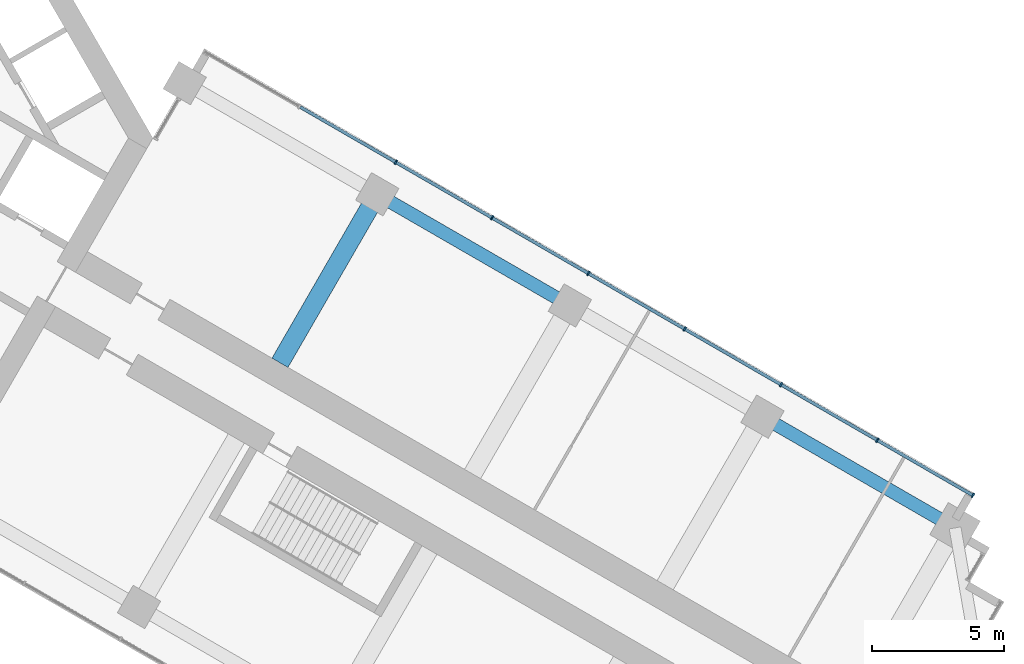
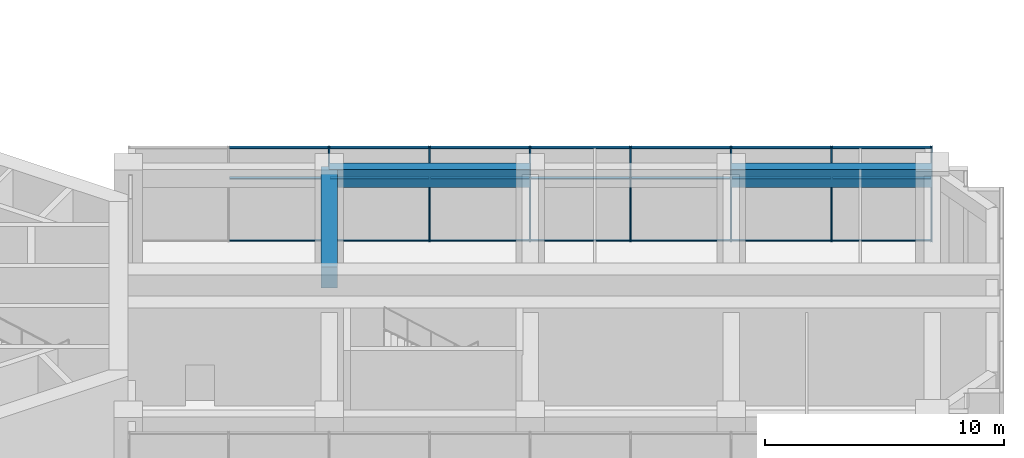
# One storey, part 10 of 20: 28 members, 3 beams, 1 element without a shape of its own.
"""IFC4 building model written with IfcOpenShell, lengths in metres."""

from ifc_helpers import new_model, si_unit, direction, frame, origin, origin_2d, place, context, subcontext, project, spatial, rectangle, extrude, material, material_profile, profile_set, type_object, element, aggregate, save


model = new_model("IFC4")

# Units and contexts
model_context = context("Model", 3, precision=1e-05, world=origin(), true_north=direction((0.0, 1.0)))
body_context = subcontext(model_context, "Body", "Model", "MODEL_VIEW")
ifc_project = project(units=[si_unit("LENGTHUNIT", "METRE"), si_unit("AREAUNIT", "SQUARE_METRE"), si_unit("VOLUMEUNIT", "CUBIC_METRE"), si_unit("PLANEANGLEUNIT", "RADIAN"), si_unit("MASSUNIT", "GRAM", prefix="KILO")], contexts=[model_context])

# Site, building, storey
site_placement = place(None, origin())
site = spatial("IfcSite", under=ifc_project, at=site_placement, CompositionType="ELEMENT")
building_placement = place(site_placement, origin())
building = spatial("IfcBuilding", under=site, at=building_placement, Name="Impinga Residences", CompositionType="ELEMENT")
storey_placement = place(building_placement, frame((0.0, 0.0, 101.0)))
storey = spatial("IfcBuildingStorey", under=building, at=storey_placement, Name="L24", CompositionType="ELEMENT", Elevation=101.0)

# Beam
ifc_material_1 = material(Name="Concrete C60/75", Category="concrete")
ifc_material_profile_1 = material_profile(ifc_material_1, rectangle(XDim=0.699951171875, YDim=1.050048828125, at=origin_2d()), Name="RC 700x1050")
ifc_profile_set_1 = profile_set([ifc_material_profile_1], Name="Concrete C60/75")
beam_type_1 = type_object("IfcBeamType", Name="CG1 700x1050 cross girder on a wing bay line", PredefinedType="BEAM", material=ifc_profile_set_1)
beam_placement = place(storey_placement, frame((17.99951171875, -8.48681640625, 4.2548828125), z_axis=(0.500008066151, 0.86602074674, 0.0), x_axis=(-0.86602074674, 0.500008066151, 0.0)))
element("IfcBeam", 1, at=beam_placement, inside=storey, type_object=beam_type_1, Name="Beam CG1 E2 EC/EA level L25", PredefinedType="BEAM", context=body_context, shape_type="SweptSolid", body=[
    extrude(rectangle(XDim=0.699951171875, YDim=1.050048828125, at=origin_2d()), origin(), (0.0, 0.0, 1.0), 7.35009765625),
])

# Curtain wall, members
ifc_material_2 = material(Name="Aluminium stick curtain wall", Category="aluminium")
curtain_wall_type = type_object("IfcCurtainWallType", Name="CW2 sky amenity curtain wall", PredefinedType="USERDEFINED", material=ifc_material_2)
curtain_wall_placement = place(storey_placement, origin())
curtain_wall = element("IfcCurtainWall", 2, at=curtain_wall_placement, inside=storey, type_object=curtain_wall_type, Name="Curtain wall CW2 L24", ObjectType="STICK CURTAIN WALL", PredefinedType="USERDEFINED")
ifc_material_3 = material(Name="Aluminium mullion", Category="aluminium")
ifc_material_profile_2 = material_profile(ifc_material_3, rectangle(XDim=0.06005859375, YDim=0.179931640625, at=origin_2d()), Name="60x180 mullion")
ifc_profile_set_2 = profile_set([ifc_material_profile_2], Name="Aluminium mullion")
member_type_1 = type_object("IfcMemberType", Name="CW2-M mullion 60x180", PredefinedType="MULLION", material=ifc_profile_set_2)
member_1_placement = place(storey_placement, frame((22.37451171875, -0.9091796875, 0.0), z_axis=(0.0, 0.0, 1.0), x_axis=(0.866025407005, -0.499999994423, 0.0)))
member_1 = element("IfcMember", 3, at=member_1_placement, type_object=member_type_1, Name="CW2 mullion 3", PredefinedType="MULLION", context=body_context, shape_type="SweptSolid", body=[
    extrude(rectangle(XDim=0.06005859375, YDim=0.179931640625, at=origin_2d()), origin(), (0.0, 0.0, 1.0), 4.780029296875),
])
member_2_placement = place(storey_placement, frame((26.011962890625, -3.009033203125, 0.0), z_axis=(0.0, 0.0, 1.0), x_axis=(0.866025407005, -0.499999994423, 0.0)))
member_2 = element("IfcMember", 4, at=member_2_placement, type_object=member_type_1, Name="CW2 mullion 4", PredefinedType="MULLION", context=body_context, shape_type="SweptSolid", body=[
    extrude(rectangle(XDim=0.06005859375, YDim=0.179931640625, at=origin_2d()), origin(), (0.0, 0.0, 1.0), 4.780029296875),
])
member_3_placement = place(storey_placement, frame((29.649169921875, -5.109130859375, 0.0), z_axis=(0.0, 0.0, 1.0), x_axis=(0.866025407005, -0.499999994423, 0.0)))
member_3 = element("IfcMember", 5, at=member_3_placement, type_object=member_type_1, Name="CW2 mullion 5", PredefinedType="MULLION", context=body_context, shape_type="SweptSolid", body=[
    extrude(rectangle(XDim=0.06005859375, YDim=0.179931640625, at=origin_2d()), origin(), (0.0, 0.0, 1.0), 4.780029296875),
])
member_4_placement = place(storey_placement, frame((33.28662109375, -7.208984375, 0.0), z_axis=(0.0, 0.0, 1.0), x_axis=(0.866025407005, -0.499999994423, 0.0)))
member_4 = element("IfcMember", 6, at=member_4_placement, type_object=member_type_1, Name="CW2 mullion 6", PredefinedType="MULLION", context=body_context, shape_type="SweptSolid", body=[
    extrude(rectangle(XDim=0.06005859375, YDim=0.179931640625, at=origin_2d()), origin(), (0.0, 0.0, 1.0), 4.780029296875),
])
member_5_placement = place(storey_placement, frame((36.923828125, -9.30908203125, 0.0), z_axis=(0.0, 0.0, 1.0), x_axis=(0.866025407005, -0.499999994423, 0.0)))
member_5 = element("IfcMember", 7, at=member_5_placement, type_object=member_type_1, Name="CW2 mullion 7", PredefinedType="MULLION", context=body_context, shape_type="SweptSolid", body=[
    extrude(rectangle(XDim=0.06005859375, YDim=0.179931640625, at=origin_2d()), origin(), (0.0, 0.0, 1.0), 4.780029296875),
])
member_6_placement = place(storey_placement, frame((40.56103515625, -11.4091796875, 0.0), z_axis=(0.0, 0.0, 1.0), x_axis=(0.866025407005, -0.499999994423, 0.0)))
member_6 = element("IfcMember", 8, at=member_6_placement, type_object=member_type_1, Name="CW2 mullion 8", PredefinedType="MULLION", context=body_context, shape_type="SweptSolid", body=[
    extrude(rectangle(XDim=0.06005859375, YDim=0.179931640625, at=origin_2d()), origin(), (0.0, 0.0, 1.0), 4.780029296875),
])
member_7_placement = place(storey_placement, frame((44.17236328125, -13.494140625, 0.0), z_axis=(0.0, 0.0, 1.0), x_axis=(0.866025407005, -0.499999994423, 0.0)))
member_7 = element("IfcMember", 9, at=member_7_placement, type_object=member_type_1, Name="CW2 mullion 9", PredefinedType="MULLION", context=body_context, shape_type="SweptSolid", body=[
    extrude(rectangle(XDim=0.06005859375, YDim=0.179931640625, at=origin_2d()), origin(), (0.0, 0.0, 1.0), 4.780029296875),
])
ifc_material_4 = material(Name="Aluminium transom", Category="aluminium")
ifc_material_profile_3 = material_profile(ifc_material_4, rectangle(XDim=0.06005859375, YDim=0.1201171875, at=origin_2d()), Name="60x120 transom")
ifc_profile_set_3 = profile_set([ifc_material_profile_3], Name="Aluminium transom")
member_type_2 = type_object("IfcMemberType", Name="CW2-T transom 60x120", PredefinedType="USERDEFINED", material=ifc_profile_set_3)
member_8_placement = place(storey_placement, frame((18.76318359375, 1.17578125, 0.030029296875), z_axis=(0.866050071143, -0.499957272447, 0.0), x_axis=(0.0, 0.0, 1.0)))
member_8 = element("IfcMember", 10, at=member_8_placement, type_object=member_type_2, Name="CW2 transom 2.1", ObjectType="TRANSOM", PredefinedType="USERDEFINED", context=body_context, shape_type="SweptSolid", body=[
    extrude(rectangle(XDim=0.06005859375, YDim=0.1201171875, at=origin_2d()), origin(), (0.0, 0.0, 1.0), 4.139892578125),
])
member_9_placement = place(storey_placement, frame((18.76318359375, 1.17578125, 3.199951171875), z_axis=(0.866050071143, -0.499957272447, 0.0), x_axis=(0.0, 0.0, 1.0)))
member_9 = element("IfcMember", 11, at=member_9_placement, type_object=member_type_2, Name="CW2 transom 2.2", ObjectType="TRANSOM", PredefinedType="USERDEFINED", context=body_context, shape_type="SweptSolid", body=[
    extrude(rectangle(XDim=0.06005859375, YDim=0.1201171875, at=origin_2d()), origin(), (0.0, 0.0, 1.0), 4.139892578125),
])
member_10_placement = place(storey_placement, frame((18.76318359375, 1.17578125, 4.75), z_axis=(0.866050071143, -0.499957272447, 0.0), x_axis=(0.0, 0.0, 1.0)))
member_10 = element("IfcMember", 12, at=member_10_placement, type_object=member_type_2, Name="CW2 transom 2.3", ObjectType="TRANSOM", PredefinedType="USERDEFINED", context=body_context, shape_type="SweptSolid", body=[
    extrude(rectangle(XDim=0.06005859375, YDim=0.1201171875, at=origin_2d()), origin(), (0.0, 0.0, 1.0), 4.139892578125),
])
member_11_placement = place(storey_placement, frame((22.400634765625, -0.924072265625, 0.030029296875), z_axis=(0.866009793405, -0.500027036996, 0.0), x_axis=(0.0, 0.0, 1.0)))
member_11 = element("IfcMember", 13, at=member_11_placement, type_object=member_type_2, Name="CW2 transom 3.1", ObjectType="TRANSOM", PredefinedType="USERDEFINED", context=body_context, shape_type="SweptSolid", body=[
    extrude(rectangle(XDim=0.06005859375, YDim=0.1201171875, at=origin_2d()), origin(), (0.0, 0.0, 1.0), 4.139892578125),
])
member_12_placement = place(storey_placement, frame((22.400634765625, -0.924072265625, 3.199951171875), z_axis=(0.866009793405, -0.500027036996, 0.0), x_axis=(0.0, 0.0, 1.0)))
member_12 = element("IfcMember", 14, at=member_12_placement, type_object=member_type_2, Name="CW2 transom 3.2", ObjectType="TRANSOM", PredefinedType="USERDEFINED", context=body_context, shape_type="SweptSolid", body=[
    extrude(rectangle(XDim=0.06005859375, YDim=0.1201171875, at=origin_2d()), origin(), (0.0, 0.0, 1.0), 4.139892578125),
])
member_13_placement = place(storey_placement, frame((22.400634765625, -0.924072265625, 4.75), z_axis=(0.866009793405, -0.500027036996, 0.0), x_axis=(0.0, 0.0, 1.0)))
member_13 = element("IfcMember", 15, at=member_13_placement, type_object=member_type_2, Name="CW2 transom 3.3", ObjectType="TRANSOM", PredefinedType="USERDEFINED", context=body_context, shape_type="SweptSolid", body=[
    extrude(rectangle(XDim=0.06005859375, YDim=0.1201171875, at=origin_2d()), origin(), (0.0, 0.0, 1.0), 4.139892578125),
])
member_14_placement = place(storey_placement, frame((26.037841796875, -3.024169921875, 0.030029296875), z_axis=(0.866050071143, -0.499957272447, 0.0), x_axis=(0.0, 0.0, 1.0)))
member_14 = element("IfcMember", 16, at=member_14_placement, type_object=member_type_2, Name="CW2 transom 4.1", ObjectType="TRANSOM", PredefinedType="USERDEFINED", context=body_context, shape_type="SweptSolid", body=[
    extrude(rectangle(XDim=0.06005859375, YDim=0.1201171875, at=origin_2d()), origin(), (0.0, 0.0, 1.0), 4.139892578125),
])
member_15_placement = place(storey_placement, frame((26.037841796875, -3.024169921875, 3.199951171875), z_axis=(0.866050071143, -0.499957272447, 0.0), x_axis=(0.0, 0.0, 1.0)))
member_15 = element("IfcMember", 17, at=member_15_placement, type_object=member_type_2, Name="CW2 transom 4.2", ObjectType="TRANSOM", PredefinedType="USERDEFINED", context=body_context, shape_type="SweptSolid", body=[
    extrude(rectangle(XDim=0.06005859375, YDim=0.1201171875, at=origin_2d()), origin(), (0.0, 0.0, 1.0), 4.139892578125),
])
member_16_placement = place(storey_placement, frame((26.037841796875, -3.024169921875, 4.75), z_axis=(0.866050071143, -0.499957272447, 0.0), x_axis=(0.0, 0.0, 1.0)))
member_16 = element("IfcMember", 18, at=member_16_placement, type_object=member_type_2, Name="CW2 transom 4.3", ObjectType="TRANSOM", PredefinedType="USERDEFINED", context=body_context, shape_type="SweptSolid", body=[
    extrude(rectangle(XDim=0.06005859375, YDim=0.1201171875, at=origin_2d()), origin(), (0.0, 0.0, 1.0), 4.139892578125),
])
member_17_placement = place(storey_placement, frame((29.67529296875, -5.1240234375, 0.030029296875), z_axis=(0.866009793405, -0.500027036996, 0.0), x_axis=(0.0, 0.0, 1.0)))
member_17 = element("IfcMember", 19, at=member_17_placement, type_object=member_type_2, Name="CW2 transom 5.1", ObjectType="TRANSOM", PredefinedType="USERDEFINED", context=body_context, shape_type="SweptSolid", body=[
    extrude(rectangle(XDim=0.06005859375, YDim=0.1201171875, at=origin_2d()), origin(), (0.0, 0.0, 1.0), 4.139892578125),
])
member_18_placement = place(storey_placement, frame((29.67529296875, -5.1240234375, 3.199951171875), z_axis=(0.866009793405, -0.500027036996, 0.0), x_axis=(0.0, 0.0, 1.0)))
member_18 = element("IfcMember", 20, at=member_18_placement, type_object=member_type_2, Name="CW2 transom 5.2", ObjectType="TRANSOM", PredefinedType="USERDEFINED", context=body_context, shape_type="SweptSolid", body=[
    extrude(rectangle(XDim=0.06005859375, YDim=0.1201171875, at=origin_2d()), origin(), (0.0, 0.0, 1.0), 4.139892578125),
])
member_19_placement = place(storey_placement, frame((29.67529296875, -5.1240234375, 4.75), z_axis=(0.866009793405, -0.500027036996, 0.0), x_axis=(0.0, 0.0, 1.0)))
member_19 = element("IfcMember", 21, at=member_19_placement, type_object=member_type_2, Name="CW2 transom 5.3", ObjectType="TRANSOM", PredefinedType="USERDEFINED", context=body_context, shape_type="SweptSolid", body=[
    extrude(rectangle(XDim=0.06005859375, YDim=0.1201171875, at=origin_2d()), origin(), (0.0, 0.0, 1.0), 4.139892578125),
])
member_20_placement = place(storey_placement, frame((33.3125, -7.22412109375, 0.030029296875), z_axis=(0.866024536972, -0.500001501361, 0.0), x_axis=(0.0, 0.0, 1.0)))
member_20 = element("IfcMember", 22, at=member_20_placement, type_object=member_type_2, Name="CW2 transom 6.1", ObjectType="TRANSOM", PredefinedType="USERDEFINED", context=body_context, shape_type="SweptSolid", body=[
    extrude(rectangle(XDim=0.06005859375, YDim=0.1201171875, at=origin_2d()), origin(), (0.0, 0.0, 1.0), 4.14013671875),
])
member_21_placement = place(storey_placement, frame((33.3125, -7.22412109375, 3.199951171875), z_axis=(0.866024536972, -0.500001501361, 0.0), x_axis=(0.0, 0.0, 1.0)))
member_21 = element("IfcMember", 23, at=member_21_placement, type_object=member_type_2, Name="CW2 transom 6.2", ObjectType="TRANSOM", PredefinedType="USERDEFINED", context=body_context, shape_type="SweptSolid", body=[
    extrude(rectangle(XDim=0.06005859375, YDim=0.1201171875, at=origin_2d()), origin(), (0.0, 0.0, 1.0), 4.14013671875),
])
member_22_placement = place(storey_placement, frame((33.3125, -7.22412109375, 4.75), z_axis=(0.866024536972, -0.500001501361, 0.0), x_axis=(0.0, 0.0, 1.0)))
member_22 = element("IfcMember", 24, at=member_22_placement, type_object=member_type_2, Name="CW2 transom 6.3", ObjectType="TRANSOM", PredefinedType="USERDEFINED", context=body_context, shape_type="SweptSolid", body=[
    extrude(rectangle(XDim=0.06005859375, YDim=0.1201171875, at=origin_2d()), origin(), (0.0, 0.0, 1.0), 4.14013671875),
])
member_23_placement = place(storey_placement, frame((36.94970703125, -9.32421875, 0.030029296875), z_axis=(0.866050071143, -0.499957272447, 0.0), x_axis=(0.0, 0.0, 1.0)))
member_23 = element("IfcMember", 25, at=member_23_placement, type_object=member_type_2, Name="CW2 transom 7.1", ObjectType="TRANSOM", PredefinedType="USERDEFINED", context=body_context, shape_type="SweptSolid", body=[
    extrude(rectangle(XDim=0.06005859375, YDim=0.1201171875, at=origin_2d()), origin(), (0.0, 0.0, 1.0), 4.139892578125),
])
member_24_placement = place(storey_placement, frame((36.94970703125, -9.32421875, 3.199951171875), z_axis=(0.866050071143, -0.499957272447, 0.0), x_axis=(0.0, 0.0, 1.0)))
member_24 = element("IfcMember", 26, at=member_24_placement, type_object=member_type_2, Name="CW2 transom 7.2", ObjectType="TRANSOM", PredefinedType="USERDEFINED", context=body_context, shape_type="SweptSolid", body=[
    extrude(rectangle(XDim=0.06005859375, YDim=0.1201171875, at=origin_2d()), origin(), (0.0, 0.0, 1.0), 4.139892578125),
])
member_25_placement = place(storey_placement, frame((36.94970703125, -9.32421875, 4.75), z_axis=(0.866050071143, -0.499957272447, 0.0), x_axis=(0.0, 0.0, 1.0)))
member_25 = element("IfcMember", 27, at=member_25_placement, type_object=member_type_2, Name="CW2 transom 7.3", ObjectType="TRANSOM", PredefinedType="USERDEFINED", context=body_context, shape_type="SweptSolid", body=[
    extrude(rectangle(XDim=0.06005859375, YDim=0.1201171875, at=origin_2d()), origin(), (0.0, 0.0, 1.0), 4.139892578125),
])
member_26_placement = place(storey_placement, frame((40.587158203125, -11.424072265625, 0.030029296875), z_axis=(0.866030279993, -0.499991554064, 0.0), x_axis=(0.0, 0.0, 1.0)))
member_26 = element("IfcMember", 28, at=member_26_placement, type_object=member_type_2, Name="CW2 transom 8.1", ObjectType="TRANSOM", PredefinedType="USERDEFINED", context=body_context, shape_type="SweptSolid", body=[
    extrude(rectangle(XDim=0.06005859375, YDim=0.1201171875, at=origin_2d()), origin(), (0.0, 0.0, 1.0), 4.10986328125),
])
member_27_placement = place(storey_placement, frame((40.587158203125, -11.424072265625, 3.199951171875), z_axis=(0.866030279993, -0.499991554064, 0.0), x_axis=(0.0, 0.0, 1.0)))
member_27 = element("IfcMember", 29, at=member_27_placement, type_object=member_type_2, Name="CW2 transom 8.2", ObjectType="TRANSOM", PredefinedType="USERDEFINED", context=body_context, shape_type="SweptSolid", body=[
    extrude(rectangle(XDim=0.06005859375, YDim=0.1201171875, at=origin_2d()), origin(), (0.0, 0.0, 1.0), 4.10986328125),
])
member_28_placement = place(storey_placement, frame((40.587158203125, -11.424072265625, 4.75), z_axis=(0.866030279993, -0.499991554064, 0.0), x_axis=(0.0, 0.0, 1.0)))
member_28 = element("IfcMember", 30, at=member_28_placement, type_object=member_type_2, Name="CW2 transom 8.3", ObjectType="TRANSOM", PredefinedType="USERDEFINED", context=body_context, shape_type="SweptSolid", body=[
    extrude(rectangle(XDim=0.06005859375, YDim=0.1201171875, at=origin_2d()), origin(), (0.0, 0.0, 1.0), 4.10986328125),
])
aggregate(curtain_wall, [member_1, member_2, member_3, member_4, member_5, member_6, member_7, member_8, member_9, member_10, member_11, member_12, member_13, member_14, member_15, member_16, member_17, member_18, member_19, member_20, member_21, member_22, member_23, member_24, member_25, member_26, member_27, member_28])

# Beams
ifc_material_profile_4 = material_profile(ifc_material_1, rectangle(XDim=0.5, YDim=0.89990234375, at=origin_2d()), Name="RC 500x900")
ifc_profile_set_4 = profile_set([ifc_material_profile_4], Name="Concrete C60/75")
beam_type_2 = type_object("IfcBeamType", Name="SB1 500x900 perimeter spandrel beam", PredefinedType="SPANDREL", material=ifc_profile_set_4)
for number, where, z_axis, x_axis, name in (
    (31, (21.674560546875, -2.12158203125, 4.330078125), (0.86602925447, -0.499993330357, 0.0), (0.499993330357, 0.86602925447, 0.0), "Beam SB1 EA E2-E3 level L25"),
    (32, (36.223876953125, -10.521484375, 4.330078125), (0.86602925447, -0.499993330357, 0.0), (0.499993330357, 0.86602925447, 0.0), "Beam SB1 EA E4-E5 level L25"),
):
    element("IfcBeam", number, at=place(storey_placement, frame(where, z_axis=z_axis, x_axis=x_axis)), inside=storey, type_object=beam_type_2, Name=name, PredefinedType="SPANDREL", context=body_context, shape_type="SweptSolid", body=[
        extrude(rectangle(XDim=0.5, YDim=0.89990234375, at=origin_2d()), origin(), (0.0, 0.0, 1.0), 8.39990234375),
    ])

save(model, "model.ifc")
